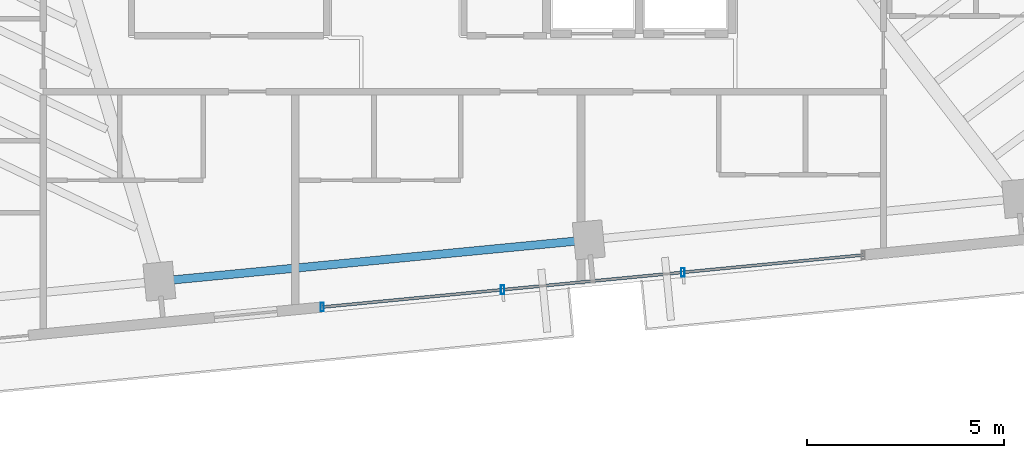
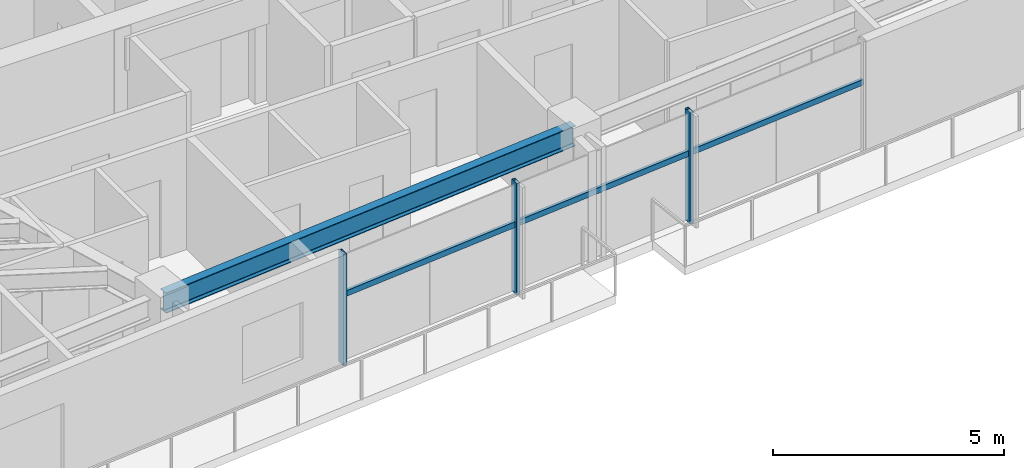
# One storey, part 4 of 18: 6 members, 1 beam, 1 element without a shape of its own.
"""IFC4 building model written with IfcOpenShell, lengths in metres."""

import ifcopenshell
import ifcopenshell.guid

model = None  # the IFC model being written
_history = None  # IfcOwnerHistory: only IFC2X3 demands one
_inside = {}  # id of a spatial element -> (the spatial element, [elements in it])
_under = {}  # id of a project, library or spatial element -> (it, [spatial elements below it])
_declared = {}  # id of a project -> (the project, [libraries it declares])
_typed = {}  # id of a type object -> (the type object, [elements of that type])
_made_of = {}  # id of a material, layer set ... -> (it, [elements and type objects made of it])


def new_model(schema):
    """Start an empty IFC model of exactly this schema.

    Asked for "IFC4X3", IfcOpenShell would pick the latest addendum, in which some entities
    have other attributes; the version numbers below select the first issue.
    IFC2X3 requires an IfcOwnerHistory on every rooted entity: one is made here for all.
    """
    global model, _history
    if schema == "IFC4X3":
        model = ifcopenshell.file(schema_version=(4, 3, 0, 0))
    else:
        model = ifcopenshell.file(schema=schema)
    _inside.clear()
    _under.clear()
    _declared.clear()
    _typed.clear()
    _made_of.clear()
    _history = None
    if model.schema == "IFC2X3":
        org = make("IfcOrganization", Name="unknown")
        user = make(
            "IfcPersonAndOrganization",
            ThePerson=make("IfcPerson", FamilyName="unknown"),
            TheOrganization=org,
        )
        app = make(
            "IfcApplication",
            ApplicationDeveloper=org,
            Version="unknown",
            ApplicationFullName="unknown",
            ApplicationIdentifier="unknown",
        )
        _history = make(
            "IfcOwnerHistory",
            OwningUser=user,
            OwningApplication=app,
            ChangeAction="ADDED",
            CreationDate=0,
        )
    return model


def make(cls, **values):
    """One entity of the class cls with the attributes given. An attribute that is None is left unset."""
    return model.create_entity(
        cls, **{name: value for name, value in values.items() if value is not None}
    )


def rooted(cls, **values):
    """An entity with a GlobalId (a new one), such as an element, a storey or a relation."""
    return make(cls, GlobalId=ifcopenshell.guid.new(), OwnerHistory=_history, **values)


def si_unit(unit_type, name, prefix=None):
    """IfcSIUnit, for example si_unit("LENGTHUNIT", "METRE", prefix="MILLI")."""
    return make("IfcSIUnit", UnitType=unit_type, Prefix=prefix, Name=name)


def assignment(units):
    """IfcUnitAssignment: the units of a project."""
    return None if units is None else make("IfcUnitAssignment", Units=units)


def point(xyz):
    """IfcCartesianPoint."""
    return None if xyz is None else make("IfcCartesianPoint", Coordinates=xyz)


def direction(xyz):
    """IfcDirection."""
    return None if xyz is None else make("IfcDirection", DirectionRatios=xyz)


def frame(location, z_axis=None, x_axis=None):
    """IfcAxis2Placement3D, a coordinate frame: its origin and axes. An axis left out is left unset."""
    return make(
        "IfcAxis2Placement3D",
        Location=point(location),
        Axis=direction(z_axis),
        RefDirection=direction(x_axis),
    )


def frame_2d(location, x_axis=None):
    """IfcAxis2Placement2D, a coordinate frame in the plane: its origin and x axis."""
    return make(
        "IfcAxis2Placement2D", Location=point(location), RefDirection=direction(x_axis)
    )


def origin():
    """The frame at (0, 0, 0) with its axes left unset."""
    return frame((0.0, 0.0, 0.0))


def origin_2d():
    """The frame at (0, 0) in the plane with its x axis left unset."""
    return frame_2d((0.0, 0.0))


def place(relative_to, where):
    """IfcLocalPlacement: puts the frame where relative to a parent placement (None: the world)."""
    return make(
        "IfcLocalPlacement", PlacementRelTo=relative_to, RelativePlacement=where
    )


def context(
    kind, dimensions, precision=None, world=None, true_north=None, identifier=None
):
    """IfcGeometricRepresentationContext, for example the 3D "Model" context."""
    return make(
        "IfcGeometricRepresentationContext",
        ContextIdentifier=identifier,
        ContextType=kind,
        CoordinateSpaceDimension=dimensions,
        Precision=precision,
        WorldCoordinateSystem=world,
        TrueNorth=true_north,
    )


def subcontext(parent, identifier, kind, view, scale=None):
    """IfcGeometricRepresentationSubContext, for example "Body" below "Model"."""
    return make(
        "IfcGeometricRepresentationSubContext",
        ContextIdentifier=identifier,
        ContextType=kind,
        ParentContext=parent,
        TargetScale=scale,
        TargetView=view,
    )


def project(units=None, contexts=None):
    """IfcProject with its units and contexts."""
    return rooted(
        "IfcProject",
        Name="project",
        RepresentationContexts=contexts,
        UnitsInContext=assignment(units),
    )


def spatial(cls, under=None, at=None, **own):
    """A site, building, storey or space (cls), placed at a placement, below another one or the project."""
    s = rooted(cls, ObjectPlacement=at, **own)
    if under is not None:
        _under.setdefault(under.id(), (under, []))[1].append(s)
    return s


def profile(cls, at=None, kind="AREA", **sizes):
    """A parametric profile (cls). Its sizes go by their IFC names, for example OverallWidth=200.0."""
    return make(cls, ProfileType=kind, Position=at, **sizes)


def hollow_rectangle(**sizes):
    """IfcRectangleHollowProfileDef."""
    return profile("IfcRectangleHollowProfileDef", **sizes)


def i_section(**sizes):
    """IfcIShapeProfileDef."""
    return profile("IfcIShapeProfileDef", **sizes)


def extrude(swept, where, along, depth):
    """IfcExtrudedAreaSolid: the profile swept, set in the frame where, extruded along a direction by depth."""
    return make(
        "IfcExtrudedAreaSolid",
        SweptArea=swept,
        Position=where,
        ExtrudedDirection=direction(along),
        Depth=depth,
    )


def shape(context_of_items, identifier, shape_type, items):
    """IfcShapeRepresentation: the items that make up one representation, for example the "Body"."""
    return make(
        "IfcShapeRepresentation",
        ContextOfItems=context_of_items,
        RepresentationIdentifier=identifier,
        RepresentationType=shape_type,
        Items=items,
    )


def source(mapping_origin, context_of_items, identifier, shape_type, items):
    """IfcRepresentationMap: a shape defined once, which mapped items show again and again."""
    return make(
        "IfcRepresentationMap",
        MappingOrigin=mapping_origin,
        MappedRepresentation=shape(context_of_items, identifier, shape_type, items),
    )


def transform(
    local_origin,
    x_axis=None,
    y_axis=None,
    z_axis=None,
    scale=None,
    scale2=None,
    scale3=None,
    uniform=True,
):
    """IfcCartesianTransformationOperator3D, or its non-uniform kind. x_axis, y_axis, z_axis: its Axis1, 2, 3."""
    if uniform:
        return make(
            "IfcCartesianTransformationOperator3D",
            Axis1=direction(x_axis),
            Axis2=direction(y_axis),
            LocalOrigin=point(local_origin),
            Scale=scale,
            Axis3=direction(z_axis),
        )
    return make(
        "IfcCartesianTransformationOperator3DnonUniform",
        Axis1=direction(x_axis),
        Axis2=direction(y_axis),
        LocalOrigin=point(local_origin),
        Scale=scale,
        Axis3=direction(z_axis),
        Scale2=scale2,
        Scale3=scale3,
    )


def mapped(mapping_source, mapping_target):
    """IfcMappedItem: shows the shape of a source again, moved by a transform."""
    return make(
        "IfcMappedItem", MappingSource=mapping_source, MappingTarget=mapping_target
    )


def material(Name=None, Category=None):
    """IfcMaterial."""
    return make("IfcMaterial", Name=Name, Category=Category)


def material_profile(
    of_material, cross_section, Name=None, Category=None, Priority=None
):
    """IfcMaterialProfile: a cross section and its material."""
    return make(
        "IfcMaterialProfile",
        Name=Name,
        Material=of_material,
        Profile=cross_section,
        Priority=Priority,
        Category=Category,
    )


def profile_set(profiles, Name=None, composite=None):
    """IfcMaterialProfileSet."""
    return make(
        "IfcMaterialProfileSet",
        Name=Name,
        MaterialProfiles=profiles,
        CompositeProfile=composite,
    )


def made_of(thing, what):
    """Note that an element or type object is made of a material, layer set ...; save() writes the relation."""
    if what is not None:
        _made_of.setdefault(what.id(), (what, []))[1].append(thing)
    return thing


def type_object(cls, material=None, **own):
    """A type object (cls), such as IfcWallType, which elements share."""
    return made_of(rooted(cls, **own), material)


def type_shapes(of_type, sources):
    """Give a type object the sources (RepresentationMaps) that its elements show as mapped items."""
    of_type.RepresentationMaps = sources


def element(
    cls,
    number,
    at=None,
    inside=None,
    cuts=None,
    type_object=None,
    material=None,
    context=None,
    identifier="Body",
    shape_type=None,
    held_by="IfcProductDefinitionShape",
    body=None,
    shapes=None,
    **own,
):
    """One element of the class cls, such as IfcWall. Its Tag is "e" and its number.

    at: its placement. inside: the storey or other place that contains it. cuts: it is an
    opening in that element (IfcRelVoidsElement). A single representation is given by context,
    identifier, shape_type and body (its items); several are given by shapes. held_by: the class
    of the entity that holds the representations. save() writes the other relations.
    """
    e = rooted(cls, Tag="e%d" % number, ObjectPlacement=at, **own)
    if body is not None:
        shapes = [shape(context, identifier, shape_type, body)]
    if shapes is not None:
        e.Representation = make(held_by, Representations=shapes)
    if inside is not None:
        _inside.setdefault(inside.id(), (inside, []))[1].append(e)
    if cuts is not None:
        rooted(
            "IfcRelVoidsElement", RelatingBuildingElement=cuts, RelatedOpeningElement=e
        )
    if type_object is not None:
        _typed.setdefault(type_object.id(), (type_object, []))[1].append(e)
    return made_of(e, material)


def aggregate(whole, parts):
    """IfcRelAggregates: a whole, such as a stair, and the parts it consists of."""
    return rooted("IfcRelAggregates", RelatingObject=whole, RelatedObjects=parts)


def save(model, path):
    """Write the relations noted so far, then the file.

    IfcRelAggregates (storeys below a building ...), IfcRelContainedInSpatialStructure (elements
    in a storey), IfcRelDefinesByType, IfcRelAssociatesMaterial and IfcRelDeclares: one each for
    every whole, place, type object, material and project.
    """
    for whole, parts in _under.values():
        aggregate(whole, parts)
    for where, things in _inside.values():
        rooted(
            "IfcRelContainedInSpatialStructure",
            RelatedElements=things,
            RelatingStructure=where,
        )
    for kind, things in _typed.values():
        rooted("IfcRelDefinesByType", RelatedObjects=things, RelatingType=kind)
    for what, things in _made_of.values():
        rooted("IfcRelAssociatesMaterial", RelatedObjects=things, RelatingMaterial=what)
    for by, libraries in _declared.values():
        rooted("IfcRelDeclares", RelatingContext=by, RelatedDefinitions=libraries)
    model.write(path)


model = new_model("IFC4")

# Units and contexts
model_context = context("Model", 3, precision=1e-05, world=origin(), true_north=direction((0.0, 1.0)))
body_context = subcontext(model_context, "Body", "Model", "MODEL_VIEW")
ifc_project = project(units=[si_unit("LENGTHUNIT", "METRE"), si_unit("AREAUNIT", "SQUARE_METRE"), si_unit("VOLUMEUNIT", "CUBIC_METRE"), si_unit("PLANEANGLEUNIT", "RADIAN"), si_unit("MASSUNIT", "GRAM", prefix="KILO")], contexts=[model_context])

# Site, building, storey
site_placement = place(None, origin())
site = spatial("IfcSite", under=ifc_project, at=site_placement, CompositionType="ELEMENT")
building_placement = place(site_placement, origin())
building = spatial("IfcBuilding", under=site, at=building_placement, Name="Astriad Promenade Condominiums", CompositionType="ELEMENT")
storey_placement = place(building_placement, frame((0.0, 0.0, 192.199951171875)))
storey = spatial("IfcBuildingStorey", under=building, at=storey_placement, Name="L55", CompositionType="ELEMENT", Elevation=192.199951171875)

# Beam
ifc_material_1 = material(Name="Steel ASTM A992 Grade 50", Category="steel")
ifc_material_profile_1 = material_profile(ifc_material_1, i_section(OverallWidth=0.210693359375, OverallDepth=0.53955078125, WebThickness=0.01171875, FlangeThickness=0.018798828125, FilletRadius=0.0166015625, at=origin_2d()), Name="W21X73")
ifc_profile_set_1 = profile_set([ifc_material_profile_1], Name="Steel ASTM A992 Grade 50")
beam_type = type_object("IfcBeamType", Name="STEEL SPANDREL BEAM W21X73", PredefinedType="SPANDREL", material=ifc_profile_set_1)
shared_shape_1 = source(origin(), body_context, "Body", "SweptSolid", [
    extrude(i_section(OverallWidth=0.210693359375, OverallDepth=0.53955078125, WebThickness=0.01171875, FlangeThickness=0.018798828125, FilletRadius=0.0166015625, at=origin_2d()), origin(), (0.0, 0.0, 1.0), 10.8701171875),
])
type_shapes(beam_type, [shared_shape_1])
beam_placement = place(storey_placement, frame((29.10888671875, 8.47119140625, 2.670166015625), z_axis=(0.995394986184, 0.09585834069, 0.0), x_axis=(-0.09585834069, 0.995394986184, 0.0)))
element("IfcBeam", 1, at=beam_placement, inside=storey, type_object=beam_type, Name="Perimeter Spandrel Beam SP-S2-L55", PredefinedType="SPANDREL", context=body_context, shape_type="MappedRepresentation", body=[
    mapped(shared_shape_1, transform((0.0, 0.0, 0.0), scale=1.0)),
])

# Curtain wall, members
ifc_material_2 = material(Name="Anodised aluminium Black Dark Glass Unitised", Category="aluminium")
curtain_wall_type = type_object("IfcCurtainWallType", Name="CW-B34-DARK", PredefinedType="USERDEFINED", material=ifc_material_2)
curtain_wall_placement = place(storey_placement, origin())
curtain_wall = element("IfcCurtainWall", 2, at=curtain_wall_placement, inside=storey, type_object=curtain_wall_type, Name="CW-L55-S", ObjectType="UNITISED_CURTAIN_WALL", PredefinedType="USERDEFINED")
ifc_material_3 = material(Name="Anodised aluminium 6063-T6 Black", Category="aluminium")
ifc_material_profile_2 = material_profile(ifc_material_3, hollow_rectangle(XDim=0.0849609375, YDim=0.219970703125, WallThickness=0.0048828125, at=origin_2d()), Name="ALU-MUL-85X220")
ifc_profile_set_2 = profile_set([ifc_material_profile_2], Name="Anodised aluminium 6063-T6 Black")
member_type_1 = type_object("IfcMemberType", Name="MUL-ALU-MUL-85X220", PredefinedType="MULLION", material=ifc_profile_set_2)
shared_shape_2 = source(origin(), body_context, "Body", "SweptSolid", [
    extrude(hollow_rectangle(XDim=0.0849609375, YDim=0.219970703125, WallThickness=0.0048828125, at=origin_2d()), origin(), (0.0, 0.0, 1.0), 2.93994140625),
])
type_shapes(member_type_1, [shared_shape_2])
member_1_placement = place(storey_placement, frame((42.358642578125, 8.692138671875, 0.0), z_axis=(0.0, 0.0, 1.0), x_axis=(1.0, 0.0, 0.0)))
member_1 = element("IfcMember", 3, at=member_1_placement, type_object=member_type_1, Name="CW-L55-S-MUL-01", PredefinedType="MULLION", context=body_context, shape_type="MappedRepresentation", body=[
    mapped(shared_shape_2, transform((0.0, 0.0, 0.0), scale=1.0)),
])
member_2_placement = place(storey_placement, frame((37.77978515625, 8.251220703125, 0.0), z_axis=(0.0, 0.0, 1.0), x_axis=(1.0, 0.0, 0.0)))
member_2 = element("IfcMember", 4, at=member_2_placement, type_object=member_type_1, Name="CW-L55-S-MUL-02", PredefinedType="MULLION", context=body_context, shape_type="MappedRepresentation", body=[
    mapped(shared_shape_2, transform((0.0, 0.0, 0.0), scale=1.0)),
])
member_3_placement = place(storey_placement, frame((33.201171875, 7.810302734375, 0.0), z_axis=(0.0, 0.0, 1.0), x_axis=(1.0, 0.0, 0.0)))
member_3 = element("IfcMember", 5, at=member_3_placement, type_object=member_type_1, Name="CW-L55-S-MUL-03", PredefinedType="MULLION", context=body_context, shape_type="MappedRepresentation", body=[
    mapped(shared_shape_2, transform((0.0, 0.0, 0.0), scale=1.0)),
])
ifc_material_profile_3 = material_profile(ifc_material_3, hollow_rectangle(XDim=0.074951171875, YDim=0.14990234375, WallThickness=0.004150390625, at=origin_2d()), Name="ALU-TRN-75X150")
ifc_profile_set_3 = profile_set([ifc_material_profile_3], Name="Anodised aluminium 6063-T6 Black")
member_type_2 = type_object("IfcMemberType", Name="TRN-ALU-TRN-75X150", PredefinedType="USERDEFINED", material=ifc_profile_set_3)
shared_shape_3 = source(origin(), body_context, "Body", "SweptSolid", [
    extrude(hollow_rectangle(XDim=0.074951171875, YDim=0.14990234375, WallThickness=0.004150390625, at=origin_2d()), origin(), (0.0, 0.0, 1.0), 4.60009765625),
])
member_4_placement = place(storey_placement, frame((46.9375, 9.133056640625, 1.82275390625), z_axis=(-0.995395697572, -0.095850953336, 0.0), x_axis=(0.095850953336, -0.995395697572, 0.0)))
member_4 = element("IfcMember", 6, at=member_4_placement, type_object=member_type_2, Name="CW-L55-S-TRN-00-0", ObjectType="TRANSOM", PredefinedType="USERDEFINED", context=body_context, shape_type="MappedRepresentation", body=[
    mapped(shared_shape_3, transform((0.0, 0.0, 0.0), scale=1.0)),
])
member_5_placement = place(storey_placement, frame((42.358642578125, 8.692138671875, 1.82275390625), z_axis=(-0.995395697572, -0.095850953336, 0.0), x_axis=(0.095850953336, -0.995395697572, 0.0)))
member_5 = element("IfcMember", 7, at=member_5_placement, type_object=member_type_2, Name="CW-L55-S-TRN-01-0", ObjectType="TRANSOM", PredefinedType="USERDEFINED", context=body_context, shape_type="MappedRepresentation", body=[
    mapped(shared_shape_3, transform((0.0, 0.0, 0.0), scale=1.0)),
])
shared_shape_4 = source(origin(), body_context, "Body", "SweptSolid", [
    extrude(hollow_rectangle(XDim=0.074951171875, YDim=0.14990234375, WallThickness=0.004150390625, at=origin_2d()), origin(), (0.0, 0.0, 1.0), 4.599853515625),
])
type_shapes(member_type_2, [shared_shape_3, shared_shape_4])
member_6_placement = place(storey_placement, frame((37.77978515625, 8.251220703125, 1.82275390625), z_axis=(-0.995395209924, -0.095856017336, 0.0), x_axis=(0.095856017336, -0.995395209924, 0.0)))
member_6 = element("IfcMember", 8, at=member_6_placement, type_object=member_type_2, Name="CW-L55-S-TRN-02-0", ObjectType="TRANSOM", PredefinedType="USERDEFINED", context=body_context, shape_type="MappedRepresentation", body=[
    mapped(shared_shape_4, transform((0.0, 0.0, 0.0), scale=1.0)),
])
aggregate(curtain_wall, [member_1, member_2, member_3, member_4, member_5, member_6])

save(model, "model.ifc")
